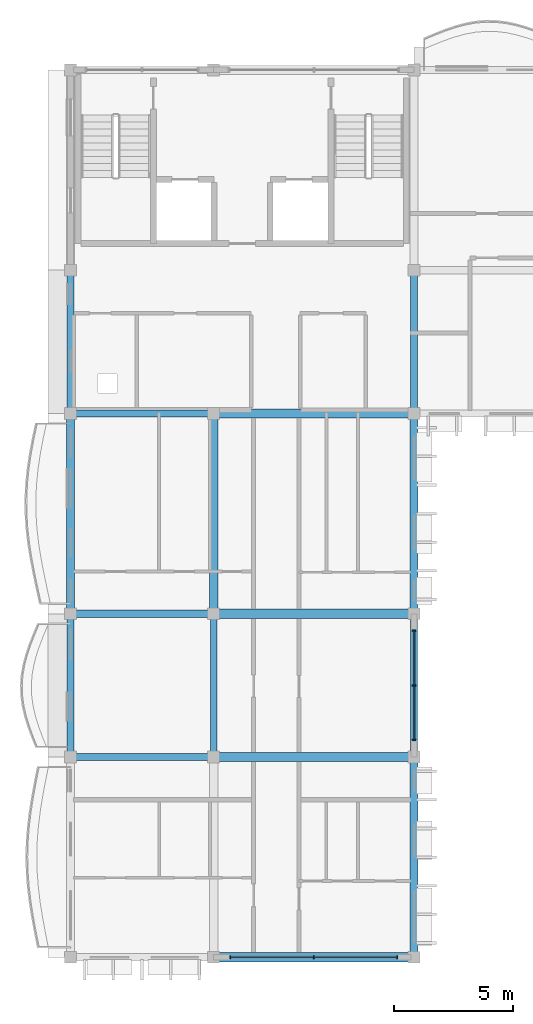
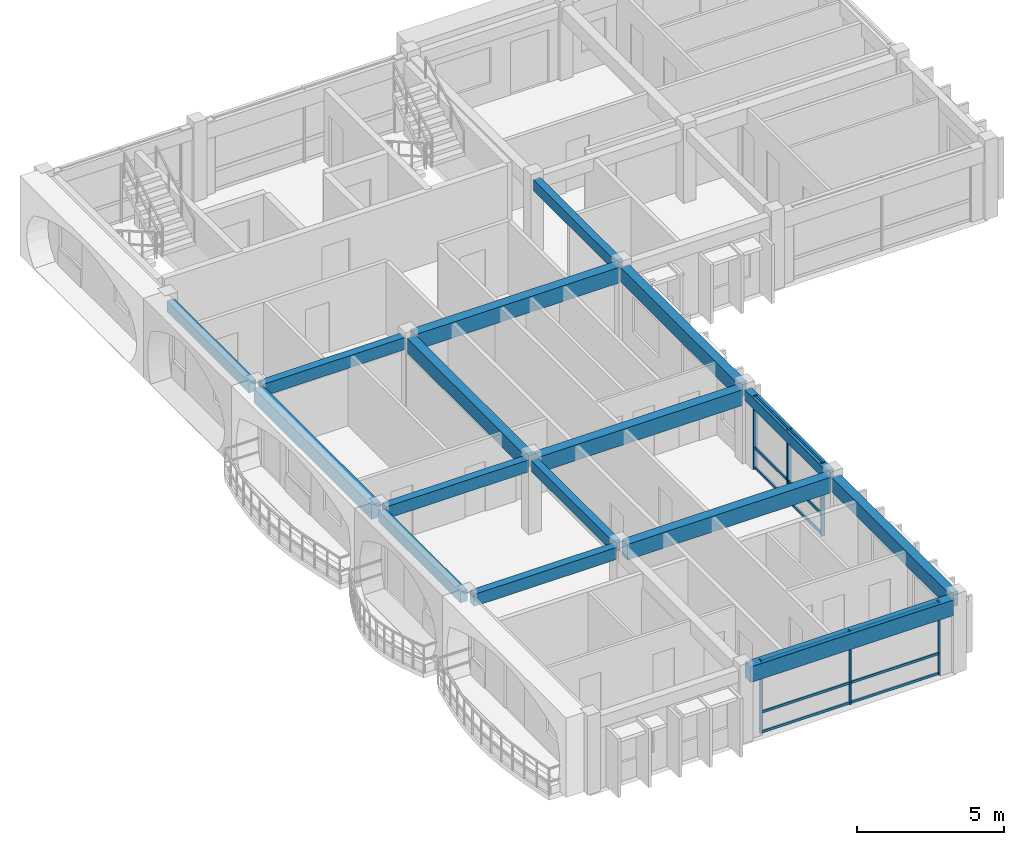
# One storey, part 2 of 10: 16 beams, 12 members, 2 elements without a shape of their own.
"""IFC4 building model written with IfcOpenShell, lengths in metres."""

from ifc_helpers import new_model, si_unit, direction, frame, origin, origin_2d, place, context, subcontext, project, spatial, rectangle, extrude, material, material_profile, profile_set, type_object, element, aggregate, save


model = new_model("IFC4")

# Units and contexts
model_context = context("Model", 3, precision=1e-05, world=origin(), true_north=direction((0.0, 1.0)))
body_context = subcontext(model_context, "Body", "Model", "MODEL_VIEW")
ifc_project = project(units=[si_unit("LENGTHUNIT", "METRE"), si_unit("AREAUNIT", "SQUARE_METRE"), si_unit("VOLUMEUNIT", "CUBIC_METRE"), si_unit("PLANEANGLEUNIT", "RADIAN"), si_unit("MASSUNIT", "GRAM", prefix="KILO"), si_unit("THERMODYNAMICTEMPERATUREUNIT", "KELVIN")], contexts=[model_context])

# Site, building, storey
site_placement = place(None, origin())
site = spatial("IfcSite", under=ifc_project, at=site_placement, CompositionType="ELEMENT")
building_placement = place(site_placement, origin())
building = spatial("IfcBuilding", under=site, at=building_placement, Name="Thalorik Housing Commons", CompositionType="ELEMENT")
storey_placement = place(building_placement, frame((0.0, 0.0, 44.39990234375)))
storey = spatial("IfcBuildingStorey", under=building, at=storey_placement, Name="L13", CompositionType="ELEMENT", Elevation=44.39990234375)

# Curtain wall, members
ifc_material_1 = material(Name="Anodised aluminium and solar-control low-E glass", Category="aluminium")
curtain_wall_type = type_object("IfcCurtainWallType", Name="ARC-CW-LOUNGE", PredefinedType="USERDEFINED", material=ifc_material_1)
curtain_wall_1_placement = place(storey_placement, origin())
curtain_wall_1 = element("IfcCurtainWall", 1, at=curtain_wall_1_placement, inside=storey, type_object=curtain_wall_type, Name="L13 Curtain Wall CW-RES-L13-A-060", ObjectType="CURTAIN WALL", PredefinedType="USERDEFINED")
ifc_material_2 = material(Name="Anodised aluminium 6063-T6", Category="aluminium")
ifc_material_profile_1 = material_profile(ifc_material_2, rectangle(XDim=0.054931640625, YDim=0.139892578125, at=origin_2d()), Name="ALU MUL 55x140", Category="aluminium")
ifc_profile_set_1 = profile_set([ifc_material_profile_1], Name="Anodised aluminium 6063-T6")
member_type_1 = type_object("IfcMemberType", Name="ARC-CW-MUL-55x140", PredefinedType="MULLION", material=ifc_profile_set_1)
member_1_placement = place(storey_placement, frame((15.10009765625, 86.39990234375, 0.0), z_axis=(0.0, 0.0, 1.0), x_axis=(1.0, 0.0, 0.0)))
member_1 = element("IfcMember", 2, at=member_1_placement, type_object=member_type_1, Name="CW-RES-L13-A-060 Mullion 1", PredefinedType="MULLION", context=body_context, shape_type="SweptSolid", body=[
    extrude(rectangle(XDim=0.054931640625, YDim=0.139892578125, at=origin_2d()), origin(), (0.0, 0.0, 1.0), 3.0400390625),
])
member_2_placement = place(storey_placement, frame((18.60009765625, 86.39990234375, 0.0), z_axis=(0.0, 0.0, 1.0), x_axis=(1.0, 0.0, 0.0)))
member_2 = element("IfcMember", 3, at=member_2_placement, type_object=member_type_1, Name="CW-RES-L13-A-060 Mullion 2", PredefinedType="MULLION", context=body_context, shape_type="SweptSolid", body=[
    extrude(rectangle(XDim=0.054931640625, YDim=0.139892578125, at=origin_2d()), origin(), (0.0, 0.0, 1.0), 3.0400390625),
])
member_3_placement = place(storey_placement, frame((22.10009765625, 86.39990234375, 0.0), z_axis=(0.0, 0.0, 1.0), x_axis=(1.0, 0.0, 0.0)))
member_3 = element("IfcMember", 4, at=member_3_placement, type_object=member_type_1, Name="CW-RES-L13-A-060 Mullion 3", PredefinedType="MULLION", context=body_context, shape_type="SweptSolid", body=[
    extrude(rectangle(XDim=0.054931640625, YDim=0.139892578125, at=origin_2d()), origin(), (0.0, 0.0, 1.0), 3.0400390625),
])

curtain_wall_2_placement = place(storey_placement, origin())
curtain_wall_2 = element("IfcCurtainWall", 5, at=curtain_wall_2_placement, inside=storey, type_object=curtain_wall_type, Name="L13 Curtain Wall CW-RES-L13-A-061", ObjectType="CURTAIN WALL", PredefinedType="USERDEFINED")
ifc_material_profile_2 = material_profile(ifc_material_2, rectangle(XDim=0.06005859375, YDim=0.159912109375, at=origin_2d()), Name="ALU MUL 60x160", Category="aluminium")
ifc_profile_set_2 = profile_set([ifc_material_profile_2], Name="Anodised aluminium 6063-T6")
member_type_2 = type_object("IfcMemberType", Name="ARC-CW-MUL-60x160", PredefinedType="MULLION", material=ifc_profile_set_2)
member_4_placement = place(storey_placement, frame((22.800048828125, 95.5, 0.0), z_axis=(0.0, 0.0, 1.0), x_axis=(0.0, 1.0, 0.0)))
member_4 = element("IfcMember", 6, at=member_4_placement, type_object=member_type_2, Name="CW-RES-L13-A-061 Mullion 1", PredefinedType="MULLION", context=body_context, shape_type="SweptSolid", body=[
    extrude(rectangle(XDim=0.06005859375, YDim=0.159912109375, at=origin_2d()), origin(), (0.0, 0.0, 1.0), 3.0400390625),
])
member_5_placement = place(storey_placement, frame((22.800048828125, 97.800048828125, 0.0), z_axis=(0.0, 0.0, 1.0), x_axis=(0.0, 1.0, 0.0)))
member_5 = element("IfcMember", 7, at=member_5_placement, type_object=member_type_2, Name="CW-RES-L13-A-061 Mullion 2", PredefinedType="MULLION", context=body_context, shape_type="SweptSolid", body=[
    extrude(rectangle(XDim=0.06005859375, YDim=0.159912109375, at=origin_2d()), origin(), (0.0, 0.0, 1.0), 3.0400390625),
])
member_6_placement = place(storey_placement, frame((22.800048828125, 100.10009765625, 0.0), z_axis=(0.0, 0.0, 1.0), x_axis=(0.0, 1.0, 0.0)))
member_6 = element("IfcMember", 8, at=member_6_placement, type_object=member_type_2, Name="CW-RES-L13-A-061 Mullion 3", PredefinedType="MULLION", context=body_context, shape_type="SweptSolid", body=[
    extrude(rectangle(XDim=0.06005859375, YDim=0.159912109375, at=origin_2d()), origin(), (0.0, 0.0, 1.0), 3.0400390625),
])

# Member
ifc_material_profile_3 = material_profile(ifc_material_2, rectangle(XDim=0.054931640625, YDim=0.10498046875, at=origin_2d()), Name="ALU TRN 55x105", Category="aluminium")
ifc_profile_set_3 = profile_set([ifc_material_profile_3], Name="Anodised aluminium 6063-T6")
member_type_3 = type_object("IfcMemberType", Name="ARC-CW-TRN-55x105", PredefinedType="USERDEFINED", material=ifc_profile_set_3)
member_7_placement = place(storey_placement, frame((15.10009765625, 86.39990234375, 0.05517578125), z_axis=(1.0, 0.0, 0.0), x_axis=(0.0, 1.0, 0.0)))
member_7 = element("IfcMember", 9, at=member_7_placement, type_object=member_type_3, Name="CW-RES-L13-A-060 Transom 1", ObjectType="TRANSOM", PredefinedType="USERDEFINED", context=body_context, shape_type="SweptSolid", body=[
    extrude(rectangle(XDim=0.054931640625, YDim=0.10498046875, at=origin_2d()), origin(), (0.0, 0.0, 1.0), 7.0),
])

member_8_placement = place(storey_placement, frame((15.10009765625, 86.39990234375, 0.880126953125), z_axis=(1.0, 0.0, 0.0), x_axis=(0.0, 1.0, 0.0)))
member_8 = element("IfcMember", 10, at=member_8_placement, type_object=member_type_3, Name="CW-RES-L13-A-060 Transom 2", ObjectType="TRANSOM", PredefinedType="USERDEFINED", context=body_context, shape_type="SweptSolid", body=[
    extrude(rectangle(XDim=0.054931640625, YDim=0.10498046875, at=origin_2d()), origin(), (0.0, 0.0, 1.0), 7.0),
])

member_9_placement = place(storey_placement, frame((15.10009765625, 86.39990234375, 2.985107421875), z_axis=(1.0, 0.0, 0.0), x_axis=(0.0, 1.0, 0.0)))
member_9 = element("IfcMember", 11, at=member_9_placement, type_object=member_type_3, Name="CW-RES-L13-A-060 Transom 3", ObjectType="TRANSOM", PredefinedType="USERDEFINED", context=body_context, shape_type="SweptSolid", body=[
    extrude(rectangle(XDim=0.054931640625, YDim=0.10498046875, at=origin_2d()), origin(), (0.0, 0.0, 1.0), 7.0),
])

aggregate(curtain_wall_1, [member_1, member_2, member_3, member_7, member_8, member_9])

ifc_material_profile_4 = material_profile(ifc_material_2, rectangle(XDim=0.06005859375, YDim=0.1201171875, at=origin_2d()), Name="ALU TRN 60x120", Category="aluminium")
ifc_profile_set_4 = profile_set([ifc_material_profile_4], Name="Anodised aluminium 6063-T6")
member_type_4 = type_object("IfcMemberType", Name="ARC-CW-TRN-60x120", PredefinedType="USERDEFINED", material=ifc_profile_set_4)
member_10_placement = place(storey_placement, frame((22.800048828125, 95.5, 0.05517578125), z_axis=(0.0, 1.0, 0.0), x_axis=(-1.0, 0.0, 0.0)))
member_10 = element("IfcMember", 12, at=member_10_placement, type_object=member_type_4, Name="CW-RES-L13-A-061 Transom 1", ObjectType="TRANSOM", PredefinedType="USERDEFINED", context=body_context, shape_type="SweptSolid", body=[
    extrude(rectangle(XDim=0.06005859375, YDim=0.1201171875, at=origin_2d()), origin(), (0.0, 0.0, 1.0), 4.60009765625),
])

member_11_placement = place(storey_placement, frame((22.800048828125, 95.5, 0.880126953125), z_axis=(0.0, 1.0, 0.0), x_axis=(-1.0, 0.0, 0.0)))
member_11 = element("IfcMember", 13, at=member_11_placement, type_object=member_type_4, Name="CW-RES-L13-A-061 Transom 2", ObjectType="TRANSOM", PredefinedType="USERDEFINED", context=body_context, shape_type="SweptSolid", body=[
    extrude(rectangle(XDim=0.06005859375, YDim=0.1201171875, at=origin_2d()), origin(), (0.0, 0.0, 1.0), 4.60009765625),
])

member_12_placement = place(storey_placement, frame((22.800048828125, 95.5, 2.985107421875), z_axis=(0.0, 1.0, 0.0), x_axis=(-1.0, 0.0, 0.0)))
member_12 = element("IfcMember", 14, at=member_12_placement, type_object=member_type_4, Name="CW-RES-L13-A-061 Transom 3", ObjectType="TRANSOM", PredefinedType="USERDEFINED", context=body_context, shape_type="SweptSolid", body=[
    extrude(rectangle(XDim=0.06005859375, YDim=0.1201171875, at=origin_2d()), origin(), (0.0, 0.0, 1.0), 4.60009765625),
])

aggregate(curtain_wall_2, [member_4, member_5, member_6, member_10, member_11, member_12])

# Beams
ifc_material_3 = material(Name="Precast concrete C40/50", Category="concrete")
ifc_material_profile_5 = material_profile(ifc_material_3, rectangle(XDim=0.280029296875, YDim=0.449951171875, at=origin_2d()), Name="PC 280x450", Category="concrete")
ifc_profile_set_5 = profile_set([ifc_material_profile_5], Name="Precast concrete C40/50")
beam_type_1 = type_object("IfcBeamType", Name="STR-BM-PC280x450", PredefinedType="BEAM", material=ifc_profile_set_5)
for number, where, z_axis, x_axis, name in (
    (15, (8.39990234375, 95.0, 2.815185546875), (0.0, 1.0, 0.0), (-1.0, 0.0, 0.0), "L13 Beam B-450"),
    (16, (8.39990234375, 109.39990234375, 2.815185546875), (0.0, 1.0, 0.0), (-1.0, 0.0, 0.0), "L13 Beam B-450"),
    (17, (14.39990234375, 95.0, 2.815185546875), (0.0, 1.0, 0.0), (-1.0, 0.0, 0.0), "L13 Beam B-450"),
    (18, (22.800048828125, 95.0, 2.815185546875), (0.0, 1.0, 0.0), (-1.0, 0.0, 0.0), "L13 Beam B-450"),
    (19, (22.800048828125, 109.39990234375, 2.815185546875), (0.0, 1.0, 0.0), (-1.0, 0.0, 0.0), "L13 Beam B-450"),
):
    element("IfcBeam", number, at=place(storey_placement, frame(where, z_axis=z_axis, x_axis=x_axis)), inside=storey, type_object=beam_type_1, Name=name, PredefinedType="BEAM", context=body_context, shape_type="SweptSolid", body=[
        extrude(rectangle(XDim=0.280029296875, YDim=0.449951171875, at=origin_2d()), origin(), (0.0, 0.0, 1.0), 5.60009765625),
    ])
ifc_material_profile_6 = material_profile(ifc_material_3, rectangle(XDim=0.300048828125, YDim=0.5, at=origin_2d()), Name="PC 300x500", Category="concrete")
ifc_profile_set_6 = profile_set([ifc_material_profile_6], Name="Precast concrete C40/50")
beam_type_2 = type_object("IfcBeamType", Name="STR-BM-PC300x500", PredefinedType="BEAM", material=ifc_profile_set_6)
for number, where, z_axis, x_axis, name in (
    (20, (8.60009765625, 94.800048828125, 2.7900390625), (1.0, 0.0, 0.0), (0.0, 1.0, 0.0), "L13 Beam B-500"),
    (21, (8.60009765625, 100.800048828125, 2.7900390625), (1.0, 0.0, 0.0), (0.0, 1.0, 0.0), "L13 Beam B-500"),
    (22, (8.60009765625, 109.199951171875, 2.7900390625), (1.0, 0.0, 0.0), (0.0, 1.0, 0.0), "L13 Beam B-500"),
):
    element("IfcBeam", number, at=place(storey_placement, frame(where, z_axis=z_axis, x_axis=x_axis)), inside=storey, type_object=beam_type_2, Name=name, PredefinedType="BEAM", context=body_context, shape_type="SweptSolid", body=[
        extrude(rectangle(XDim=0.300048828125, YDim=0.5, at=origin_2d()), origin(), (0.0, 0.0, 1.0), 5.599853515625),
    ])
ifc_material_profile_7 = material_profile(ifc_material_3, rectangle(XDim=0.35009765625, YDim=0.60009765625, at=origin_2d()), Name="PC 350x600", Category="concrete")
ifc_profile_set_7 = profile_set([ifc_material_profile_7], Name="Precast concrete C40/50")
beam_type_3 = type_object("IfcBeamType", Name="STR-BM-PC350x600", PredefinedType="BEAM", material=ifc_profile_set_7)
for number, where, z_axis, x_axis, name in (
    (23, (8.39990234375, 101.0, 2.739990234375), (0.0, 1.0, 0.0), (-1.0, 0.0, 0.0), "L13 Beam B-600"),
    (24, (14.39990234375, 101.0, 2.739990234375), (0.0, 1.0, 0.0), (-1.0, 0.0, 0.0), "L13 Beam B-600"),
    (25, (22.800048828125, 86.60009765625, 2.739990234375), (0.0, 1.0, 0.0), (-1.0, 0.0, 0.0), "L13 Beam B-600"),
    (26, (22.800048828125, 101.0, 2.739990234375), (0.0, 1.0, 0.0), (-1.0, 0.0, 0.0), "L13 Beam B-600"),
):
    element("IfcBeam", number, at=place(storey_placement, frame(where, z_axis=z_axis, x_axis=x_axis)), inside=storey, type_object=beam_type_3, Name=name, PredefinedType="BEAM", context=body_context, shape_type="SweptSolid", body=[
        extrude(rectangle(XDim=0.35009765625, YDim=0.60009765625, at=origin_2d()), origin(), (0.0, 0.0, 1.0), 8.0),
    ])
ifc_material_profile_8 = material_profile(ifc_material_3, rectangle(XDim=0.3798828125, YDim=0.64990234375, at=origin_2d()), Name="PC 380x650", Category="concrete")
ifc_profile_set_8 = profile_set([ifc_material_profile_8], Name="Precast concrete C40/50")
beam_type_4 = type_object("IfcBeamType", Name="STR-BM-PC380x650", PredefinedType="BEAM", material=ifc_profile_set_8)
for number, where, z_axis, x_axis, name in (
    (27, (14.60009765625, 86.39990234375, 2.715087890625), (1.0, 0.0, 0.0), (0.0, 1.0, 0.0), "L13 Beam B-650"),
    (28, (14.60009765625, 94.800048828125, 2.715087890625), (1.0, 0.0, 0.0), (0.0, 1.0, 0.0), "L13 Beam B-650"),
    (29, (14.60009765625, 100.800048828125, 2.715087890625), (1.0, 0.0, 0.0), (0.0, 1.0, 0.0), "L13 Beam B-650"),
    (30, (14.60009765625, 109.199951171875, 2.715087890625), (1.0, 0.0, 0.0), (0.0, 1.0, 0.0), "L13 Beam B-650"),
):
    element("IfcBeam", number, at=place(storey_placement, frame(where, z_axis=z_axis, x_axis=x_axis)), inside=storey, type_object=beam_type_4, Name=name, PredefinedType="BEAM", context=body_context, shape_type="SweptSolid", body=[
        extrude(rectangle(XDim=0.3798828125, YDim=0.64990234375, at=origin_2d()), origin(), (0.0, 0.0, 1.0), 8.0),
    ])

save(model, "model.ifc")
